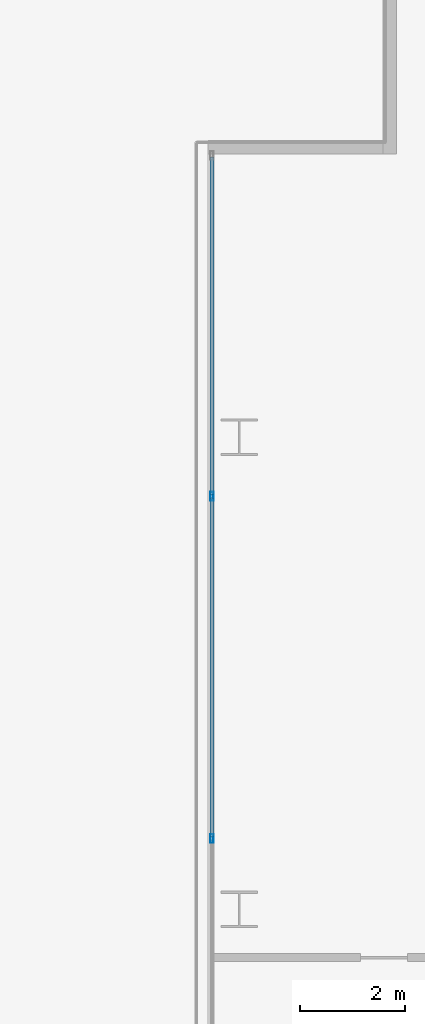
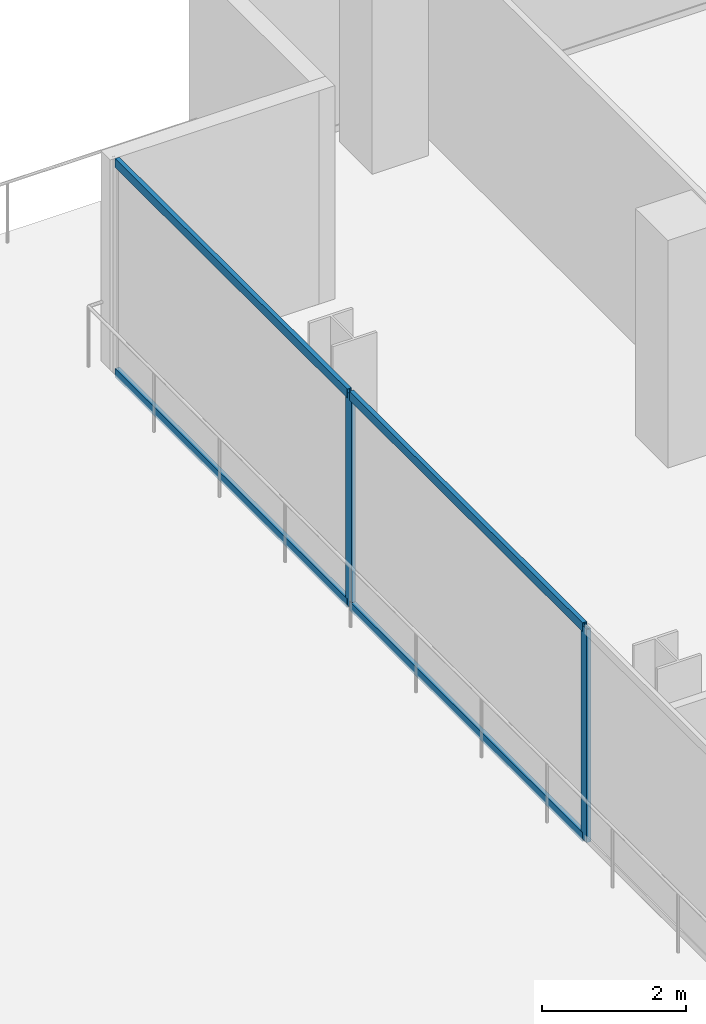
# One storey, part 12 of 31: 6 members, 1 element without a shape of its own.
"""IFC4 building model written with IfcOpenShell, lengths in metres."""

from ifc_helpers import new_model, si_unit, direction, frame, origin, origin_2d, place, context, subcontext, project, spatial, hollow_rectangle, extrude, material, layer, layer_set, material_profile, profile_set, type_object, element, aggregate, save


model = new_model("IFC4")

# Units and contexts
model_context = context("Model", 3, precision=1e-05, world=origin(), true_north=direction((0.0, 1.0)))
body_context = subcontext(model_context, "Body", "Model", "MODEL_VIEW")
ifc_project = project(units=[si_unit("LENGTHUNIT", "METRE"), si_unit("AREAUNIT", "SQUARE_METRE"), si_unit("VOLUMEUNIT", "CUBIC_METRE"), si_unit("PLANEANGLEUNIT", "RADIAN"), si_unit("MASSUNIT", "GRAM", prefix="KILO")], contexts=[model_context])

# Site, building, storey
site_placement = place(None, origin())
site = spatial("IfcSite", under=ifc_project, at=site_placement, CompositionType="ELEMENT")
building_placement = place(site_placement, origin())
building = spatial("IfcBuilding", under=site, at=building_placement, Name="Maruvema Waterfront Hotel and Observation Tower", CompositionType="ELEMENT")
storey_placement = place(building_placement, frame((0.0, 0.0, 26.949951171875)))
storey = spatial("IfcBuildingStorey", under=building, at=storey_placement, Name="L05", CompositionType="ELEMENT", Elevation=26.949951171875)

# Curtain wall, members
ifc_material_1 = material(Name="Anodised bronze aluminium and solar-control low-E IGU", Category="aluminium")
ifc_layer = layer(ifc_material_1, 0.159912109375, Name="Zone 1 Bronze Inner Thermal Curtain Wall System CW-02")
ifc_layer_set = layer_set([ifc_layer], Name="Anodised bronze aluminium and solar-control low-E IGU")
curtain_wall_type = type_object("IfcCurtainWallType", Name="Zone 1 Bronze Inner Thermal Curtain Wall System CW-02", PredefinedType="USERDEFINED", material=ifc_layer_set)
curtain_wall_placement = place(storey_placement, origin())
curtain_wall = element("IfcCurtainWall", 1, at=curtain_wall_placement, inside=storey, type_object=curtain_wall_type, Name="L05 Curtain Wall CW-L05-WN", ObjectType="UNITISED CURTAIN WALL", PredefinedType="USERDEFINED")
ifc_material_2 = material(Name="Anodised architectural bronze aluminium", Category="aluminium")
ifc_material_profile_1 = material_profile(ifc_material_2, hollow_rectangle(XDim=0.070068359375, YDim=0.14990234375, WallThickness=0.00390625, at=origin_2d()), Name="ALU-T70x150")
ifc_profile_set_1 = profile_set([ifc_material_profile_1], Name="Anodised architectural bronze aluminium")
member_type_1 = type_object("IfcMemberType", Name="Curtain Wall Horizontal Transom ALU-T70x150", PredefinedType="USERDEFINED", material=ifc_profile_set_1)
member_1_placement = place(storey_placement, frame((10.8798828125, 50.340087890625, 0.030029296875), z_axis=(0.0, -1.0, 0.0), x_axis=(1.0, 0.0, 0.0)))
member_1 = element("IfcMember", 2, at=member_1_placement, type_object=member_type_1, Name="CW-02 transom 1.1", ObjectType="TRANSOM", PredefinedType="USERDEFINED", context=body_context, shape_type="SweptSolid", body=[
    extrude(hollow_rectangle(XDim=0.070068359375, YDim=0.14990234375, WallThickness=0.00390625, at=origin_2d()), origin(), (0.0, 0.0, 1.0), 6.43505859375),
])
member_2_placement = place(storey_placement, frame((10.8798828125, 50.340087890625, 3.580078125), z_axis=(0.0, -1.0, 0.0), x_axis=(1.0, 0.0, 0.0)))
member_2 = element("IfcMember", 3, at=member_2_placement, type_object=member_type_1, Name="CW-02 transom 1.2", ObjectType="TRANSOM", PredefinedType="USERDEFINED", context=body_context, shape_type="SweptSolid", body=[
    extrude(hollow_rectangle(XDim=0.070068359375, YDim=0.14990234375, WallThickness=0.00390625, at=origin_2d()), origin(), (0.0, 0.0, 1.0), 6.43505859375),
])
member_3_placement = place(storey_placement, frame((10.8798828125, 43.844970703125, 0.030029296875), z_axis=(0.0, -1.0, 0.0), x_axis=(1.0, 0.0, 0.0)))
member_3 = element("IfcMember", 4, at=member_3_placement, type_object=member_type_1, Name="CW-02 transom 2.1", ObjectType="TRANSOM", PredefinedType="USERDEFINED", context=body_context, shape_type="SweptSolid", body=[
    extrude(hollow_rectangle(XDim=0.070068359375, YDim=0.14990234375, WallThickness=0.00390625, at=origin_2d()), origin(), (0.0, 0.0, 1.0), 6.465087890625),
])
member_4_placement = place(storey_placement, frame((10.8798828125, 43.844970703125, 3.580078125), z_axis=(0.0, -1.0, 0.0), x_axis=(1.0, 0.0, 0.0)))
member_4 = element("IfcMember", 5, at=member_4_placement, type_object=member_type_1, Name="CW-02 transom 2.2", ObjectType="TRANSOM", PredefinedType="USERDEFINED", context=body_context, shape_type="SweptSolid", body=[
    extrude(hollow_rectangle(XDim=0.070068359375, YDim=0.14990234375, WallThickness=0.00390625, at=origin_2d()), origin(), (0.0, 0.0, 1.0), 6.465087890625),
])
ifc_material_3 = material(Name="Anodised architectural bronze aluminium", Category="aluminium")
ifc_material_profile_2 = material_profile(ifc_material_3, hollow_rectangle(XDim=0.06494140625, YDim=0.1650390625, WallThickness=0.00390625, at=origin_2d()), Name="ALU-M65x165")
ifc_profile_set_2 = profile_set([ifc_material_profile_2], Name="Anodised architectural bronze aluminium")
member_type_2 = type_object("IfcMemberType", Name="Curtain Wall Primary Mullion ALU-M65x165", PredefinedType="MULLION", material=ifc_profile_set_2)
member_5_placement = place(storey_placement, frame((10.8798828125, 43.875, 0.0), z_axis=(0.0, 0.0, 1.0), x_axis=(1.0, 0.0, 0.0)))
member_5 = element("IfcMember", 6, at=member_5_placement, type_object=member_type_2, Name="CW-02 mullion 2", PredefinedType="MULLION", context=body_context, shape_type="SweptSolid", body=[
    extrude(hollow_rectangle(XDim=0.06494140625, YDim=0.1650390625, WallThickness=0.00390625, at=origin_2d()), origin(), (0.0, 0.0, 1.0), 3.610107421875),
])
member_6_placement = place(storey_placement, frame((10.8798828125, 37.35009765625, 0.0), z_axis=(0.0, 0.0, 1.0), x_axis=(1.0, 0.0, 0.0)))
member_6 = element("IfcMember", 7, at=member_6_placement, type_object=member_type_2, Name="CW-02 mullion 3", PredefinedType="MULLION", context=body_context, shape_type="SweptSolid", body=[
    extrude(hollow_rectangle(XDim=0.06494140625, YDim=0.1650390625, WallThickness=0.00390625, at=origin_2d()), origin(), (0.0, 0.0, 1.0), 3.610107421875),
])
aggregate(curtain_wall, [member_5, member_6, member_1, member_2, member_3, member_4])

save(model, "model.ifc")
